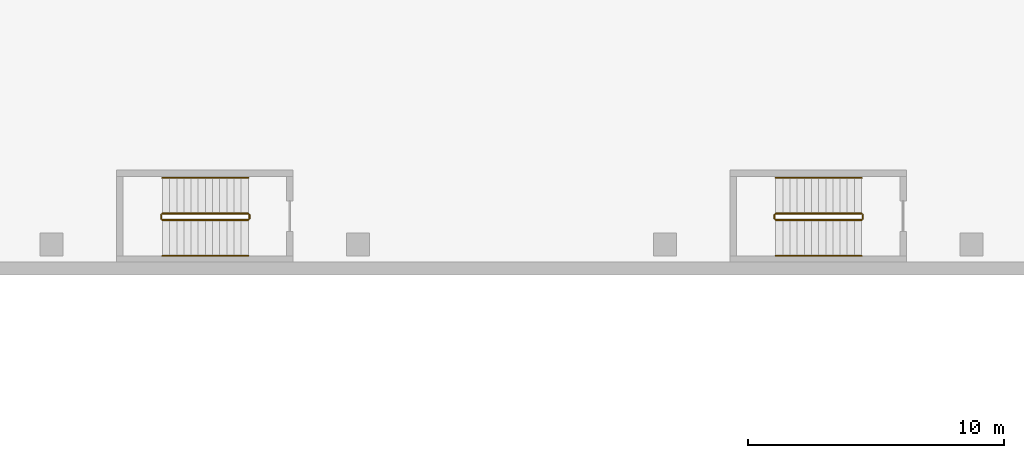
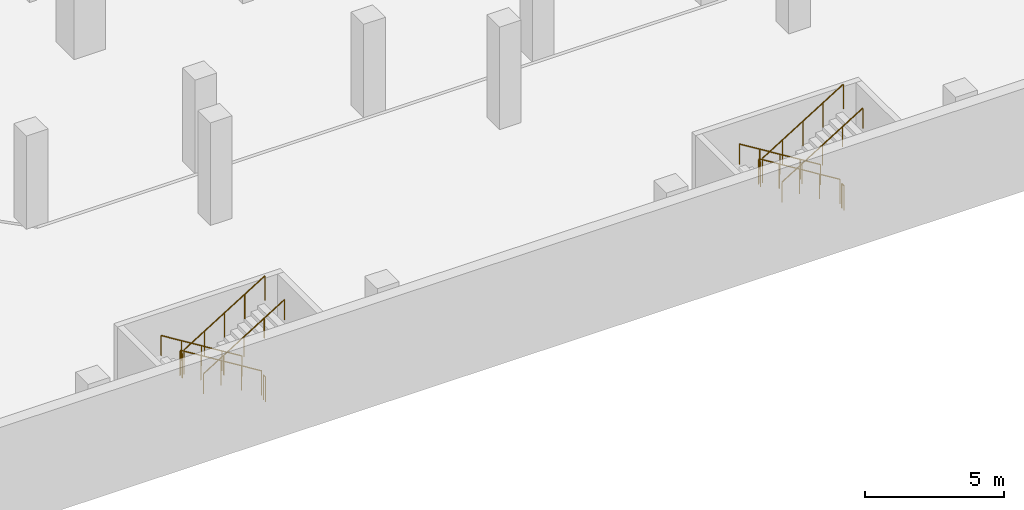
# One storey, part 10 of 11: 12 railings.
"""IFC4 building model written with IfcOpenShell, lengths in metres."""

from ifc_helpers import new_model, si_unit, direction, frame, origin, origin_2d, place, context, subcontext, project, spatial, circle, extrude, material, type_object, element, save


model = new_model("IFC4")

# Units and contexts
model_context = context("Model", 3, precision=1e-05, world=origin(), true_north=direction((0.0, 1.0)))
body_context = subcontext(model_context, "Body", "Model", "MODEL_VIEW")
ifc_project = project(units=[si_unit("LENGTHUNIT", "METRE"), si_unit("AREAUNIT", "SQUARE_METRE"), si_unit("VOLUMEUNIT", "CUBIC_METRE"), si_unit("PLANEANGLEUNIT", "RADIAN"), si_unit("MASSUNIT", "GRAM", prefix="KILO")], contexts=[model_context])

# Site, building, storey
site_placement = place(None, origin())
site = spatial("IfcSite", under=ifc_project, at=site_placement, CompositionType="ELEMENT")
building_placement = place(site_placement, origin())
building = spatial("IfcBuilding", under=site, at=building_placement, Name="Kilnfold Tower and Market Hall", CompositionType="ELEMENT")
storey_placement = place(building_placement, frame((0.0, 0.0, -4.5)))
storey = spatial("IfcBuildingStorey", under=building, at=storey_placement, Name="B1", CompositionType="ELEMENT", Elevation=-4.5)

# Railings
ifc_material_1 = material(Name="Stainless steel 316", Category="steel")
railing_type_1 = type_object("IfcRailingType", Name="CAR PARK STAIR GUARD 1100", PredefinedType="GUARDRAIL", material=ifc_material_1)
railing_1_placement = place(storey_placement, frame((-22.949951171875, -41.449951171875, 0.173095703125)))
element("IfcRailing", 1, at=railing_1_placement, inside=storey, type_object=railing_type_1, Name="B1 CS1 stair guard 1", PredefinedType="GUARDRAIL", context=body_context, shape_type="SweptSolid", body=[
    extrude(circle(Radius=0.02392578125, at=origin_2d()), frame((0.0, 0.0, 1.076171875), z_axis=(-0.850623216509, 0.0, 0.525775754039), x_axis=(0.0, -1.0, 0.0)), (0.0, 0.0, 1.0), 3.9501953125),
    extrude(circle(Radius=0.02099609375, at=origin_2d()), origin(), (0.0, 0.0, 1.0), 1.052001953125),
    extrude(circle(Radius=0.02099609375, at=origin_2d()), frame((-0.840087890625, 0.0, 0.519287109375)), (0.0, 0.0, 1.0), 1.052001953125),
    extrude(circle(Radius=0.02099609375, at=origin_2d()), frame((-1.68017578125, 0.0, 1.03857421875)), (0.0, 0.0, 1.0), 1.052001953125),
    extrude(circle(Radius=0.02099609375, at=origin_2d()), frame((-2.52001953125, 0.0, 1.5576171875)), (0.0, 0.0, 1.0), 1.052001953125),
    extrude(circle(Radius=0.02099609375, at=origin_2d()), frame((-3.360107421875, 0.0, 2.076904296875)), (0.0, 0.0, 1.0), 1.052001953125),
])
railing_2_placement = place(storey_placement, frame((-26.360107421875, -41.5, 2.25)))
element("IfcRailing", 2, at=railing_2_placement, inside=storey, type_object=railing_type_1, Name="B1 CS1 stair guard 2", PredefinedType="GUARDRAIL", context=body_context, shape_type="SweptSolid", body=[
    extrude(circle(Radius=0.02392578125, at=origin_2d()), frame((0.0, 0.0, 1.076171875), z_axis=(0.0, -1.0, 0.0), x_axis=(1.0, 0.0, 0.0)), (0.0, 0.0, 1.0), 0.14990234375),
    extrude(circle(Radius=0.02099609375, at=origin_2d()), origin(), (0.0, 0.0, 1.0), 1.052001953125),
    extrude(circle(Radius=0.02099609375, at=origin_2d()), frame((0.0, -0.14990234375, 0.0)), (0.0, 0.0, 1.0), 1.052001953125),
])
railing_3_placement = place(storey_placement, frame((-26.31005859375, -41.699951171875, 2.423095703125)))
element("IfcRailing", 3, at=railing_3_placement, inside=storey, type_object=railing_type_1, Name="B1 CS1 stair guard 3", PredefinedType="GUARDRAIL", context=body_context, shape_type="SweptSolid", body=[
    extrude(circle(Radius=0.02392578125, at=origin_2d()), frame((0.0, 0.0, 1.076171875), z_axis=(0.850623216509, 0.0, 0.525775754039), x_axis=(0.0, 1.0, 0.0)), (0.0, 0.0, 1.0), 3.9501953125),
    extrude(circle(Radius=0.02099609375, at=origin_2d()), origin(), (0.0, 0.0, 1.0), 1.052001953125),
    extrude(circle(Radius=0.02099609375, at=origin_2d()), frame((0.840087890625, 0.0, 0.519287109375)), (0.0, 0.0, 1.0), 1.052001953125),
    extrude(circle(Radius=0.02099609375, at=origin_2d()), frame((1.68017578125, 0.0, 1.03857421875)), (0.0, 0.0, 1.0), 1.052001953125),
    extrude(circle(Radius=0.02099609375, at=origin_2d()), frame((2.52001953125, 0.0, 1.5576171875)), (0.0, 0.0, 1.0), 1.052001953125),
    extrude(circle(Radius=0.02099609375, at=origin_2d()), frame((3.360107421875, 0.0, 2.076904296875)), (0.0, 0.0, 1.0), 1.052001953125),
])
railing_4_placement = place(storey_placement, frame((-22.89990234375, -41.5, 0.0)))
element("IfcRailing", 4, at=railing_4_placement, inside=storey, type_object=railing_type_1, Name="B1 CS1 stair guard 4", PredefinedType="GUARDRAIL", context=body_context, shape_type="SweptSolid", body=[
    extrude(circle(Radius=0.02392578125, at=origin_2d()), frame((0.0, 0.0, 1.076171875), z_axis=(0.0, -1.0, 0.0), x_axis=(1.0, 0.0, 0.0)), (0.0, 0.0, 1.0), 0.14990234375),
    extrude(circle(Radius=0.02099609375, at=origin_2d()), origin(), (0.0, 0.0, 1.0), 1.052001953125),
    extrude(circle(Radius=0.02099609375, at=origin_2d()), frame((0.0, -0.14990234375, 0.0)), (0.0, 0.0, 1.0), 1.052001953125),
])
railing_5_placement = place(storey_placement, frame((1.050048828125, -41.449951171875, 0.173095703125)))
element("IfcRailing", 5, at=railing_5_placement, inside=storey, type_object=railing_type_1, Name="B1 CS2 stair guard 1", PredefinedType="GUARDRAIL", context=body_context, shape_type="SweptSolid", body=[
    extrude(circle(Radius=0.02392578125, at=origin_2d()), frame((0.0, 0.0, 1.076171875), z_axis=(-0.850623216509, 0.0, 0.525775754039), x_axis=(0.0, -1.0, 0.0)), (0.0, 0.0, 1.0), 3.9501953125),
    extrude(circle(Radius=0.02099609375, at=origin_2d()), origin(), (0.0, 0.0, 1.0), 1.052001953125),
    extrude(circle(Radius=0.02099609375, at=origin_2d()), frame((-0.840087890625, 0.0, 0.519287109375)), (0.0, 0.0, 1.0), 1.052001953125),
    extrude(circle(Radius=0.02099609375, at=origin_2d()), frame((-1.68017578125, 0.0, 1.03857421875)), (0.0, 0.0, 1.0), 1.052001953125),
    extrude(circle(Radius=0.02099609375, at=origin_2d()), frame((-2.52001953125, 0.0, 1.5576171875)), (0.0, 0.0, 1.0), 1.052001953125),
    extrude(circle(Radius=0.02099609375, at=origin_2d()), frame((-3.360107421875, 0.0, 2.076904296875)), (0.0, 0.0, 1.0), 1.052001953125),
])
railing_6_placement = place(storey_placement, frame((-2.360107421875, -41.5, 2.25)))
element("IfcRailing", 6, at=railing_6_placement, inside=storey, type_object=railing_type_1, Name="B1 CS2 stair guard 2", PredefinedType="GUARDRAIL", context=body_context, shape_type="SweptSolid", body=[
    extrude(circle(Radius=0.02392578125, at=origin_2d()), frame((0.0, 0.0, 1.076171875), z_axis=(0.0, -1.0, 0.0), x_axis=(1.0, 0.0, 0.0)), (0.0, 0.0, 1.0), 0.14990234375),
    extrude(circle(Radius=0.02099609375, at=origin_2d()), origin(), (0.0, 0.0, 1.0), 1.052001953125),
    extrude(circle(Radius=0.02099609375, at=origin_2d()), frame((0.0, -0.14990234375, 0.0)), (0.0, 0.0, 1.0), 1.052001953125),
])
railing_7_placement = place(storey_placement, frame((-2.31005859375, -41.699951171875, 2.423095703125)))
element("IfcRailing", 7, at=railing_7_placement, inside=storey, type_object=railing_type_1, Name="B1 CS2 stair guard 3", PredefinedType="GUARDRAIL", context=body_context, shape_type="SweptSolid", body=[
    extrude(circle(Radius=0.02392578125, at=origin_2d()), frame((0.0, 0.0, 1.076171875), z_axis=(0.850623216509, 0.0, 0.525775754039), x_axis=(0.0, 1.0, 0.0)), (0.0, 0.0, 1.0), 3.9501953125),
    extrude(circle(Radius=0.02099609375, at=origin_2d()), origin(), (0.0, 0.0, 1.0), 1.052001953125),
    extrude(circle(Radius=0.02099609375, at=origin_2d()), frame((0.840087890625, 0.0, 0.519287109375)), (0.0, 0.0, 1.0), 1.052001953125),
    extrude(circle(Radius=0.02099609375, at=origin_2d()), frame((1.68017578125, 0.0, 1.03857421875)), (0.0, 0.0, 1.0), 1.052001953125),
    extrude(circle(Radius=0.02099609375, at=origin_2d()), frame((2.52001953125, 0.0, 1.5576171875)), (0.0, 0.0, 1.0), 1.052001953125),
    extrude(circle(Radius=0.02099609375, at=origin_2d()), frame((3.360107421875, 0.0, 2.076904296875)), (0.0, 0.0, 1.0), 1.052001953125),
])
railing_8_placement = place(storey_placement, frame((1.10009765625, -41.5, 0.0)))
element("IfcRailing", 8, at=railing_8_placement, inside=storey, type_object=railing_type_1, Name="B1 CS2 stair guard 4", PredefinedType="GUARDRAIL", context=body_context, shape_type="SweptSolid", body=[
    extrude(circle(Radius=0.02392578125, at=origin_2d()), frame((0.0, 0.0, 1.076171875), z_axis=(0.0, -1.0, 0.0), x_axis=(1.0, 0.0, 0.0)), (0.0, 0.0, 1.0), 0.14990234375),
    extrude(circle(Radius=0.02099609375, at=origin_2d()), origin(), (0.0, 0.0, 1.0), 1.052001953125),
    extrude(circle(Radius=0.02099609375, at=origin_2d()), frame((0.0, -0.14990234375, 0.0)), (0.0, 0.0, 1.0), 1.052001953125),
])
ifc_material_2 = material(Name="Stainless steel 316", Category="steel")
railing_type_2 = type_object("IfcRailingType", Name="CAR PARK STAIR HANDRAIL 900", PredefinedType="HANDRAIL", material=ifc_material_2)
railing_9_placement = place(storey_placement, frame((-22.949951171875, -40.050048828125, 0.173095703125)))
element("IfcRailing", 9, at=railing_9_placement, inside=storey, type_object=railing_type_2, Name="B1 CS1 stair handrail 1", PredefinedType="HANDRAIL", context=body_context, shape_type="SweptSolid", body=[
    extrude(circle(Radius=0.02392578125, at=origin_2d()), frame((0.0, 0.0, 0.8759765625), z_axis=(-0.850623216509, 0.0, 0.525775754039), x_axis=(0.0, -1.0, 0.0)), (0.0, 0.0, 1.0), 3.9501953125),
    extrude(circle(Radius=0.02099609375, at=origin_2d()), origin(), (0.0, 0.0, 1.0), 0.851806640625),
    extrude(circle(Radius=0.02099609375, at=origin_2d()), frame((-0.840087890625, 0.0, 0.519287109375)), (0.0, 0.0, 1.0), 0.851806640625),
    extrude(circle(Radius=0.02099609375, at=origin_2d()), frame((-1.68017578125, 0.0, 1.03857421875)), (0.0, 0.0, 1.0), 0.851806640625),
    extrude(circle(Radius=0.02099609375, at=origin_2d()), frame((-2.52001953125, 0.0, 1.5576171875)), (0.0, 0.0, 1.0), 0.851806640625),
    extrude(circle(Radius=0.02099609375, at=origin_2d()), frame((-3.360107421875, 0.0, 2.076904296875)), (0.0, 0.0, 1.0), 0.851806640625),
])
railing_10_placement = place(storey_placement, frame((-26.31005859375, -43.10009765625, 2.423095703125)))
element("IfcRailing", 10, at=railing_10_placement, inside=storey, type_object=railing_type_2, Name="B1 CS1 stair handrail 2", PredefinedType="HANDRAIL", context=body_context, shape_type="SweptSolid", body=[
    extrude(circle(Radius=0.02392578125, at=origin_2d()), frame((0.0, 0.0, 0.8759765625), z_axis=(0.850623216509, 0.0, 0.525775754039), x_axis=(0.0, 1.0, 0.0)), (0.0, 0.0, 1.0), 3.9501953125),
    extrude(circle(Radius=0.02099609375, at=origin_2d()), origin(), (0.0, 0.0, 1.0), 0.851806640625),
    extrude(circle(Radius=0.02099609375, at=origin_2d()), frame((0.840087890625, 0.0, 0.519287109375)), (0.0, 0.0, 1.0), 0.851806640625),
    extrude(circle(Radius=0.02099609375, at=origin_2d()), frame((1.68017578125, 0.0, 1.03857421875)), (0.0, 0.0, 1.0), 0.851806640625),
    extrude(circle(Radius=0.02099609375, at=origin_2d()), frame((2.52001953125, 0.0, 1.5576171875)), (0.0, 0.0, 1.0), 0.851806640625),
    extrude(circle(Radius=0.02099609375, at=origin_2d()), frame((3.360107421875, 0.0, 2.076904296875)), (0.0, 0.0, 1.0), 0.851806640625),
])
railing_11_placement = place(storey_placement, frame((1.050048828125, -40.050048828125, 0.173095703125)))
element("IfcRailing", 11, at=railing_11_placement, inside=storey, type_object=railing_type_2, Name="B1 CS2 stair handrail 1", PredefinedType="HANDRAIL", context=body_context, shape_type="SweptSolid", body=[
    extrude(circle(Radius=0.02392578125, at=origin_2d()), frame((0.0, 0.0, 0.8759765625), z_axis=(-0.850623216509, 0.0, 0.525775754039), x_axis=(0.0, -1.0, 0.0)), (0.0, 0.0, 1.0), 3.9501953125),
    extrude(circle(Radius=0.02099609375, at=origin_2d()), origin(), (0.0, 0.0, 1.0), 0.851806640625),
    extrude(circle(Radius=0.02099609375, at=origin_2d()), frame((-0.840087890625, 0.0, 0.519287109375)), (0.0, 0.0, 1.0), 0.851806640625),
    extrude(circle(Radius=0.02099609375, at=origin_2d()), frame((-1.68017578125, 0.0, 1.03857421875)), (0.0, 0.0, 1.0), 0.851806640625),
    extrude(circle(Radius=0.02099609375, at=origin_2d()), frame((-2.52001953125, 0.0, 1.5576171875)), (0.0, 0.0, 1.0), 0.851806640625),
    extrude(circle(Radius=0.02099609375, at=origin_2d()), frame((-3.360107421875, 0.0, 2.076904296875)), (0.0, 0.0, 1.0), 0.851806640625),
])
railing_12_placement = place(storey_placement, frame((-2.31005859375, -43.10009765625, 2.423095703125)))
element("IfcRailing", 12, at=railing_12_placement, inside=storey, type_object=railing_type_2, Name="B1 CS2 stair handrail 2", PredefinedType="HANDRAIL", context=body_context, shape_type="SweptSolid", body=[
    extrude(circle(Radius=0.02392578125, at=origin_2d()), frame((0.0, 0.0, 0.8759765625), z_axis=(0.850623216509, 0.0, 0.525775754039), x_axis=(0.0, 1.0, 0.0)), (0.0, 0.0, 1.0), 3.9501953125),
    extrude(circle(Radius=0.02099609375, at=origin_2d()), origin(), (0.0, 0.0, 1.0), 0.851806640625),
    extrude(circle(Radius=0.02099609375, at=origin_2d()), frame((0.840087890625, 0.0, 0.519287109375)), (0.0, 0.0, 1.0), 0.851806640625),
    extrude(circle(Radius=0.02099609375, at=origin_2d()), frame((1.68017578125, 0.0, 1.03857421875)), (0.0, 0.0, 1.0), 0.851806640625),
    extrude(circle(Radius=0.02099609375, at=origin_2d()), frame((2.52001953125, 0.0, 1.5576171875)), (0.0, 0.0, 1.0), 0.851806640625),
    extrude(circle(Radius=0.02099609375, at=origin_2d()), frame((3.360107421875, 0.0, 2.076904296875)), (0.0, 0.0, 1.0), 0.851806640625),
])

save(model, "model.ifc")
